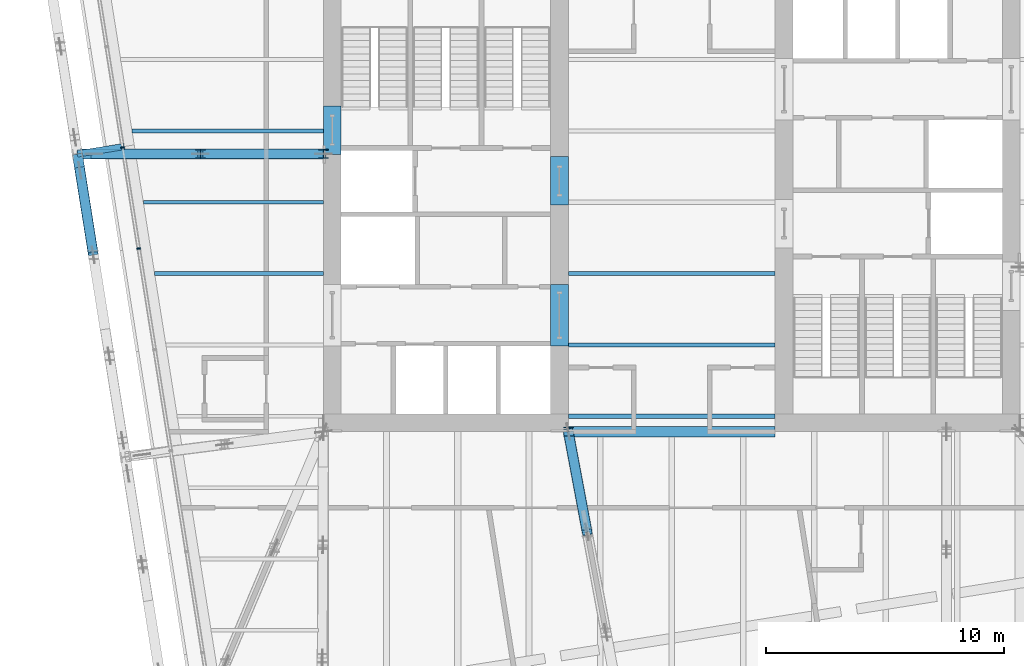
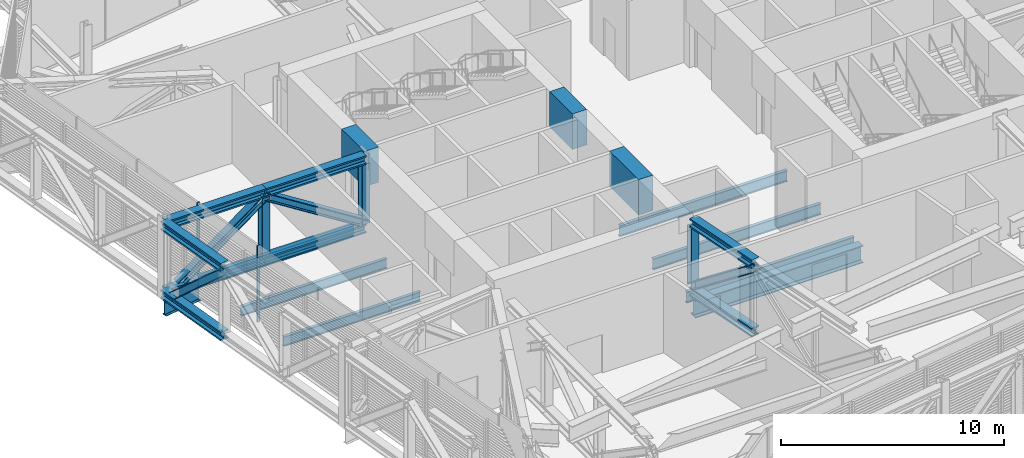
# One storey, part 6 of 31: 19 beams, 9 members, 1 element without a shape of its own.
"""IFC4 building model written with IfcOpenShell, lengths in metres."""

from ifc_helpers import new_model, si_unit, direction, frame, origin, origin_2d, place, context, subcontext, project, spatial, rectangle, i_section, extrude, material, layer, layer_set, material_profile, profile_set, type_object, element, aggregate, save


model = new_model("IFC4")

# Units and contexts
model_context = context("Model", 3, precision=1e-05, world=origin(), true_north=direction((0.0, 1.0)))
body_context = subcontext(model_context, "Body", "Model", "MODEL_VIEW")
ifc_project = project(units=[si_unit("LENGTHUNIT", "METRE"), si_unit("AREAUNIT", "SQUARE_METRE"), si_unit("VOLUMEUNIT", "CUBIC_METRE"), si_unit("PLANEANGLEUNIT", "RADIAN"), si_unit("MASSUNIT", "GRAM", prefix="KILO")], contexts=[model_context])

# Site, building, storey
site_placement = place(None, origin())
site = spatial("IfcSite", under=ifc_project, at=site_placement, CompositionType="ELEMENT")
building_placement = place(site_placement, origin())
building = spatial("IfcBuilding", under=site, at=building_placement, Name="Millrace Tower", CompositionType="ELEMENT")
storey_placement = place(building_placement, frame((0.0, 0.0, 195.60009765625)))
storey = spatial("IfcBuildingStorey", under=building, at=storey_placement, Name="L44", CompositionType="ELEMENT", Elevation=195.60009765625)

# Beams
ifc_material_1 = material(Name="Steel ASTM A992 Grade 50", Category="steel")
ifc_material_profile_1 = material_profile(ifc_material_1, i_section(OverallWidth=0.4267578125, OverallDepth=0.482666015625, WebThickness=0.05126953125, FlangeThickness=0.08154296875, FilletRadius=0.01513671875, at=origin_2d()))
ifc_profile_set_1 = profile_set([ifc_material_profile_1], Name="Steel ASTM A992 Grade 50")
beam_type_1 = type_object("IfcBeamType", Name="Belt truss chord W14x455", PredefinedType="BEAM", material=ifc_profile_set_1)
beam_1_placement = place(storey_placement, frame((-24.9951171875, 2.031494140625, 0.2412109375), z_axis=(0.156475688094, -0.987681810623, 0.0), x_axis=(0.987681810623, 0.156475688094, 0.0)))
element("IfcBeam", 1, at=beam_1_placement, inside=storey, type_object=beam_type_1, Name="BLT-L44-R15-B01", PredefinedType="BEAM", context=body_context, shape_type="SweptSolid", body=[
    extrude(i_section(OverallWidth=0.4267578125, OverallDepth=0.482666015625, WebThickness=0.05126953125, FlangeThickness=0.08154296875, FilletRadius=0.01513671875, at=origin_2d()), origin(), (0.0, 0.0, 1.0), 4.300048828125),
])
beam_2_placement = place(storey_placement, frame((-24.993408203125, 2.021484375, 3.99853515625), z_axis=(0.156447680442, -0.98768624739, 0.0), x_axis=(0.98768624739, 0.156447680442, 0.0)))
element("IfcBeam", 2, at=beam_2_placement, inside=storey, type_object=beam_type_1, Name="BLT-L44-R15-T01", PredefinedType="BEAM", context=body_context, shape_type="SweptSolid", body=[
    extrude(i_section(OverallWidth=0.4267578125, OverallDepth=0.482666015625, WebThickness=0.05126953125, FlangeThickness=0.08154296875, FilletRadius=0.01513671875, at=origin_2d()), origin(), (0.0, 0.0, 1.0), 4.289794921875),
])

# Member
ifc_material_2 = material(Name="Steel ASTM A992 Grade 50", Category="steel")
ifc_material_profile_2 = material_profile(ifc_material_2, i_section(OverallWidth=0.398681640625, OverallDepth=0.393798828125, WebThickness=0.022705078125, FlangeThickness=0.03662109375, FilletRadius=0.01513671875, at=origin_2d()))
ifc_profile_set_2 = profile_set([ifc_material_profile_2], Name="Steel ASTM A992 Grade 50")
member_type_1 = type_object("IfcMemberType", Name="Belt truss diagonal W14x193", PredefinedType="BRACE", material=ifc_profile_set_2)
member_1_placement = place(storey_placement, frame((-24.885498046875, 1.340087890625, 0.482421875), z_axis=(0.115731422385, -0.730607904471, 0.672917771943), x_axis=(0.987685312069, 0.156453585206, 0.0)))
element("IfcMember", 3, at=member_1_placement, inside=storey, type_object=member_type_1, Name="BLT-L44-R15-D01", PredefinedType="BRACE", context=body_context, shape_type="SweptSolid", body=[
    extrude(i_section(OverallWidth=0.398681640625, OverallDepth=0.393798828125, WebThickness=0.022705078125, FlangeThickness=0.03662109375, FilletRadius=0.01513671875, at=origin_2d()), origin(), (0.0, 0.0, 1.0), 4.86669921875),
])

# Curtain wall, members
ifc_material_3 = material(Name="Aluminium and glass", Category="aluminium")
ifc_layer = layer(ifc_material_3, 0.14990234375)
ifc_layer_set = layer_set([ifc_layer], Name="Aluminium and glass")
curtain_wall_type = type_object("IfcCurtainWallType", Name="CW-5 truss and plant storey louvred infill", PredefinedType="NOTDEFINED", material=ifc_layer_set)
curtain_wall_placement = place(storey_placement, origin())
curtain_wall = element("IfcCurtainWall", 4, at=curtain_wall_placement, inside=storey, type_object=curtain_wall_type, Name="Curtain wall C-F08 L44", PredefinedType="NOTDEFINED")
ifc_material_4 = material(Name="Aluminium", Category="aluminium")
ifc_material_profile_3 = material_profile(ifc_material_4, rectangle(XDim=0.06494140625, YDim=0.14990234375, at=origin_2d()))
ifc_profile_set_3 = profile_set([ifc_material_profile_3], Name="Aluminium")
member_type_2 = type_object("IfcMemberType", Name="CW-5 truss and plant storey louvred infill mullion", PredefinedType="MULLION", material=ifc_profile_set_3)
member_2_placement = place(storey_placement, frame((-23.088623046875, 2.300537109375, 0.139892578125), z_axis=(0.0, 0.0, 1.0), x_axis=(0.15643447328, -0.98768833929, 0.0)))
member_2 = element("IfcMember", 5, at=member_2_placement, type_object=member_type_2, Name="CW5 mullion C-F08.4", PredefinedType="MULLION", context=body_context, shape_type="SweptSolid", body=[
    extrude(rectangle(XDim=0.06494140625, YDim=0.14990234375, at=origin_2d()), origin(), (0.0, 0.0, 1.0), 4.199951171875),
])
member_3_placement = place(storey_placement, frame((-22.416015625, -1.946533203125, 0.139892578125), z_axis=(0.0, 0.0, 1.0), x_axis=(0.15643447328, -0.98768833929, 0.0)))
member_3 = element("IfcMember", 6, at=member_3_placement, type_object=member_type_2, Name="CW5 mullion C-F08.5", PredefinedType="MULLION", context=body_context, shape_type="SweptSolid", body=[
    extrude(rectangle(XDim=0.06494140625, YDim=0.14990234375, at=origin_2d()), origin(), (0.0, 0.0, 1.0), 4.199951171875),
])
aggregate(curtain_wall, [member_2, member_3])

# Beams
ifc_material_5 = material(Name="Concrete C70", Category="concrete")
ifc_material_profile_4 = material_profile(ifc_material_5, rectangle(XDim=0.75, YDim=1.93994140625, at=origin_2d()))
ifc_profile_set_4 = profile_set([ifc_material_profile_4], Name="Concrete C70")
beam_type_2 = type_object("IfcBeamType", Name="Coupling beam 750 x 1940 Concrete C70, 1300 opening", PredefinedType="BEAM", material=ifc_profile_set_4)
beam_3_placement = place(storey_placement, frame((-14.27490234375, 2.011474609375, 3.369873046875), z_axis=(0.0, 1.0, 0.0), x_axis=(-1.0, 0.0, 0.0)))
element("IfcBeam", 7, at=beam_3_placement, inside=storey, type_object=beam_type_2, Name="Coupling beam W L44", PredefinedType="BEAM", context=body_context, shape_type="SweptSolid", body=[
    extrude(rectangle(XDim=0.75, YDim=1.93994140625, at=origin_2d()), origin(), (0.0, 0.0, 1.0), 2.037109375),
])
beam_4_placement = place(storey_placement, frame((-4.72509765625, -0.118408203125, 3.369873046875), z_axis=(0.0, 1.0, 0.0), x_axis=(-1.0, 0.0, 0.0)))
element("IfcBeam", 8, at=beam_4_placement, inside=storey, type_object=beam_type_2, Name="Coupling beam W L44", PredefinedType="BEAM", context=body_context, shape_type="SweptSolid", body=[
    extrude(rectangle(XDim=0.75, YDim=1.93994140625, at=origin_2d()), origin(), (0.0, 0.0, 1.0), 2.036865234375),
])
ifc_material_6 = material(Name="Concrete C70", Category="concrete")
ifc_material_profile_5 = material_profile(ifc_material_6, rectangle(XDim=0.75, YDim=1.93994140625, at=origin_2d()))
ifc_profile_set_5 = profile_set([ifc_material_profile_5], Name="Concrete C70")
beam_type_3 = type_object("IfcBeamType", Name="Coupling beam 750 x 1940 Concrete C70, 2000 opening", PredefinedType="BEAM", material=ifc_profile_set_5)
beam_5_placement = place(storey_placement, frame((-4.72509765625, -6.050048828125, 3.369873046875), z_axis=(0.0, 1.0, 0.0), x_axis=(-1.0, 0.0, 0.0)))
element("IfcBeam", 9, at=beam_5_placement, inside=storey, type_object=beam_type_3, Name="Coupling beam W L44", PredefinedType="BEAM", context=body_context, shape_type="SweptSolid", body=[
    extrude(rectangle(XDim=0.75, YDim=1.93994140625, at=origin_2d()), origin(), (0.0, 0.0, 1.0), 2.60009765625),
])
ifc_material_7 = material(Name="Steel ASTM A992 Grade 50", Category="steel")
ifc_material_profile_6 = material_profile(ifc_material_7, i_section(OverallWidth=0.1650390625, OverallDepth=0.52587890625, WebThickness=0.0087890625, FlangeThickness=0.011474609375, FilletRadius=0.0126953125, at=origin_2d()))
ifc_profile_set_6 = profile_set([ifc_material_profile_6], Name="Steel ASTM A992 Grade 50")
beam_type_4 = type_object("IfcBeamType", Name="Floor beam W21x44", PredefinedType="JOIST", material=ifc_profile_set_6)
beam_6_placement = place(storey_placement, frame((-21.746337890625, -3.0, -0.512939453125), z_axis=(1.0, 0.0, 0.0), x_axis=(0.0, 1.0, 0.0)))
element("IfcBeam", 10, at=beam_6_placement, inside=storey, type_object=beam_type_4, Name="BM-C-L44-S1-S017", PredefinedType="JOIST", context=body_context, shape_type="SweptSolid", body=[
    extrude(i_section(OverallWidth=0.1650390625, OverallDepth=0.52587890625, WebThickness=0.0087890625, FlangeThickness=0.011474609375, FilletRadius=0.0126953125, at=origin_2d()), origin(), (0.0, 0.0, 1.0), 7.096435546875),
])
beam_7_placement = place(storey_placement, frame((-22.221435546875, 0.0, -0.512939453125), z_axis=(1.0, 0.0, 0.0), x_axis=(0.0, 1.0, 0.0)))
element("IfcBeam", 11, at=beam_7_placement, inside=storey, type_object=beam_type_4, Name="BM-C-L44-S1-S020", PredefinedType="JOIST", context=body_context, shape_type="SweptSolid", body=[
    extrude(i_section(OverallWidth=0.1650390625, OverallDepth=0.52587890625, WebThickness=0.0087890625, FlangeThickness=0.011474609375, FilletRadius=0.0126953125, at=origin_2d()), origin(), (0.0, 0.0, 1.0), 7.571533203125),
])
ifc_material_8 = material(Name="Steel ASTM A992 Grade 50", Category="steel")
ifc_material_profile_7 = material_profile(ifc_material_8, i_section(OverallWidth=0.177978515625, OverallDepth=0.599365234375, WebThickness=0.010009765625, FlangeThickness=0.012939453125, FilletRadius=0.012939453125, at=origin_2d()))
ifc_profile_set_7 = profile_set([ifc_material_profile_7], Name="Steel ASTM A992 Grade 50")
beam_type_5 = type_object("IfcBeamType", Name="Floor beam W24x55", PredefinedType="JOIST", material=ifc_profile_set_7)
for number, where, z_axis, x_axis, name in (
    (12, (-4.35009765625, -9.0, -0.5498046875), (1.0, 0.0, 0.0), (0.0, 1.0, 0.0), "BM-C-L44-S1-S010"),
    (13, (-4.35009765625, -6.0, -0.5498046875), (1.0, 0.0, 0.0), (0.0, 1.0, 0.0), "BM-C-L44-S1-S013"),
    (14, (-4.35009765625, -3.0, -0.5498046875), (1.0, 0.0, 0.0), (0.0, 1.0, 0.0), "BM-C-L44-S1-S016"),
):
    element("IfcBeam", number, at=place(storey_placement, frame(where, z_axis=z_axis, x_axis=x_axis)), inside=storey, type_object=beam_type_5, Name=name, PredefinedType="JOIST", context=body_context, shape_type="SweptSolid", body=[
        extrude(i_section(OverallWidth=0.177978515625, OverallDepth=0.599365234375, WebThickness=0.010009765625, FlangeThickness=0.012939453125, FilletRadius=0.012939453125, at=origin_2d()), origin(), (0.0, 0.0, 1.0), 8.7001953125),
    ])
beam_8_placement = place(storey_placement, frame((-22.696533203125, 3.0, -0.5498046875), z_axis=(1.0, 0.0, 0.0), x_axis=(0.0, 1.0, 0.0)))
element("IfcBeam", 15, at=beam_8_placement, inside=storey, type_object=beam_type_5, Name="BM-C-L44-S1-S023", PredefinedType="JOIST", context=body_context, shape_type="SweptSolid", body=[
    extrude(i_section(OverallWidth=0.177978515625, OverallDepth=0.599365234375, WebThickness=0.010009765625, FlangeThickness=0.012939453125, FilletRadius=0.012939453125, at=origin_2d()), origin(), (0.0, 0.0, 1.0), 8.046630859375),
])
ifc_material_9 = material(Name="Steel ASTM A992 Grade 50", Category="steel")
ifc_material_profile_8 = material_profile(ifc_material_9, i_section(OverallWidth=0.424072265625, OverallDepth=0.947509765625, WebThickness=0.02392578125, FlangeThickness=0.042724609375, FilletRadius=0.024169921875, at=origin_2d()))
ifc_profile_set_8 = profile_set([ifc_material_profile_8], Name="Steel ASTM A992 Grade 50")
beam_type_6 = type_object("IfcBeamType", Name="Girder short span W36x302", PredefinedType="BEAM", material=ifc_profile_set_8)
beam_9_placement = place(storey_placement, frame((-4.35009765625, -9.64990234375, -0.723876953125), z_axis=(1.0, 0.0, 0.0), x_axis=(0.0, 1.0, 0.0)))
element("IfcBeam", 16, at=beam_9_placement, inside=storey, type_object=beam_type_6, Name="BM-C-L44-S1-G062", PredefinedType="BEAM", context=body_context, shape_type="SweptSolid", body=[
    extrude(i_section(OverallWidth=0.424072265625, OverallDepth=0.947509765625, WebThickness=0.02392578125, FlangeThickness=0.042724609375, FilletRadius=0.024169921875, at=origin_2d()), origin(), (0.0, 0.0, 1.0), 8.7001953125),
])
ifc_material_10 = material(Name="Steel ASTM A992 Grade 50", Category="steel")
ifc_material_profile_9 = material_profile(ifc_material_10, i_section(OverallWidth=0.2666015625, OverallDepth=0.7568359375, WebThickness=0.013916015625, FlangeThickness=0.019287109375, FilletRadius=0.0166015625, at=origin_2d()))
ifc_profile_set_9 = profile_set([ifc_material_profile_9], Name="Steel ASTM A992 Grade 50")
beam_type_7 = type_object("IfcBeamType", Name="Link beam W30x108", PredefinedType="BEAM", material=ifc_profile_set_9)
beam_10_placement = place(storey_placement, frame((-23.019775390625, 2.344482421875, -0.628662109375), z_axis=(-0.987678691416, -0.156495375404, 0.0), x_axis=(0.156495375404, -0.987678691416, 0.0)))
element("IfcBeam", 17, at=beam_10_placement, inside=storey, type_object=beam_type_7, Name="LNK-C-L44-S1-03", PredefinedType="BEAM", context=body_context, shape_type="SweptSolid", body=[
    extrude(i_section(OverallWidth=0.2666015625, OverallDepth=0.7568359375, WebThickness=0.013916015625, FlangeThickness=0.019287109375, FilletRadius=0.0166015625, at=origin_2d()), origin(), (0.0, 0.0, 1.0), 2.0),
])
ifc_material_11 = material(Name="Steel ASTM A992 Grade 50", Category="steel")
ifc_material_profile_10 = material_profile(ifc_material_11, i_section(OverallWidth=0.4267578125, OverallDepth=0.482666015625, WebThickness=0.05126953125, FlangeThickness=0.08154296875, FilletRadius=0.01513671875, at=origin_2d()))
ifc_profile_set_10 = profile_set([ifc_material_profile_10], Name="Steel ASTM A992 Grade 50")
beam_type_8 = type_object("IfcBeamType", Name="Outrigger truss chord W14x455", PredefinedType="BEAM", material=ifc_profile_set_10)
for number, where, z_axis, x_axis, name in (
    (18, (-4.35009765625, -9.64990234375, 0.2412109375), (0.18434684486, -0.982861252055, 0.0), (0.982861252055, 0.18434684486, 0.0), "BLT-L44-O03-B01"),
    (19, (-4.35009765625, -9.64990234375, 3.99853515625), (0.18434684486, -0.982861252055, 0.0), (0.982861252055, 0.18434684486, 0.0), "BLT-L44-O03-T01"),
):
    element("IfcBeam", number, at=place(storey_placement, frame(where, z_axis=z_axis, x_axis=x_axis)), inside=storey, type_object=beam_type_8, Name=name, PredefinedType="BEAM", context=body_context, shape_type="SweptSolid", body=[
        extrude(i_section(OverallWidth=0.4267578125, OverallDepth=0.482666015625, WebThickness=0.05126953125, FlangeThickness=0.08154296875, FilletRadius=0.01513671875, at=origin_2d()), origin(), (0.0, 0.0, 1.0), 4.297607421875),
    ])
for number, where, z_axis, x_axis, name in (
    (20, (-14.64990234375, 2.031494140625, 0.2412109375), (-1.0, 0.0, 0.0), (0.0, -1.0, 0.0), "BLT-L44-O15-B01"),
    (21, (-14.64990234375, 2.031494140625, 3.99853515625), (-1.0, 0.0, 0.0), (0.0, -1.0, 0.0), "BLT-L44-O15-T01"),
    (22, (-19.822509765625, 2.031494140625, 0.2412109375), (-1.0, 0.0, 0.0), (0.0, -1.0, 0.0), "BLT-L44-O15-B02"),
    (23, (-19.822509765625, 2.031494140625, 3.99853515625), (-1.0, 0.0, 0.0), (0.0, -1.0, 0.0), "BLT-L44-O15-T02"),
):
    element("IfcBeam", number, at=place(storey_placement, frame(where, z_axis=z_axis, x_axis=x_axis)), inside=storey, type_object=beam_type_8, Name=name, PredefinedType="BEAM", context=body_context, shape_type="SweptSolid", body=[
        extrude(i_section(OverallWidth=0.4267578125, OverallDepth=0.482666015625, WebThickness=0.05126953125, FlangeThickness=0.08154296875, FilletRadius=0.01513671875, at=origin_2d()), origin(), (0.0, 0.0, 1.0), 5.172607421875),
    ])

# Members
ifc_material_12 = material(Name="Steel ASTM A992 Grade 50", Category="steel")
ifc_material_profile_11 = material_profile(ifc_material_12, i_section(OverallWidth=0.398681640625, OverallDepth=0.393798828125, WebThickness=0.022705078125, FlangeThickness=0.03662109375, FilletRadius=0.01513671875, at=origin_2d()))
ifc_profile_set_11 = profile_set([ifc_material_profile_11], Name="Steel ASTM A992 Grade 50")
member_type_3 = type_object("IfcMemberType", Name="Outrigger truss diagonal W14x193", PredefinedType="BRACE", material=ifc_profile_set_11)
member_4_placement = place(storey_placement, frame((-4.35009765625, -9.64990234375, 0.482421875), z_axis=(0.146625577088, -0.781747029028, 0.606112632066), x_axis=(0.982861252055, 0.18434684486, 0.0)))
element("IfcMember", 24, at=member_4_placement, inside=storey, type_object=member_type_3, Name="BLT-L44-O03-D01", PredefinedType="BRACE", context=body_context, shape_type="SweptSolid", body=[
    extrude(i_section(OverallWidth=0.398681640625, OverallDepth=0.393798828125, WebThickness=0.022705078125, FlangeThickness=0.03662109375, FilletRadius=0.01513671875, at=origin_2d()), origin(), (0.0, 0.0, 1.0), 5.403076171875),
])
member_5_placement = place(storey_placement, frame((-14.64990234375, 2.031494140625, 0.482421875), z_axis=(-0.844898980611, 0.0, 0.534925894459), x_axis=(0.0, -1.0, 0.0)))
element("IfcMember", 25, at=member_5_placement, inside=storey, type_object=member_type_3, Name="BLT-L44-O15-D01", PredefinedType="BRACE", context=body_context, shape_type="SweptSolid", body=[
    extrude(i_section(OverallWidth=0.398681640625, OverallDepth=0.393798828125, WebThickness=0.022705078125, FlangeThickness=0.03662109375, FilletRadius=0.01513671875, at=origin_2d()), origin(), (0.0, 0.0, 1.0), 6.1220703125),
])
member_6_placement = place(storey_placement, frame((-24.295166015625, 2.031494140625, 0.482421875), z_axis=(0.80683882848, 0.0, 0.590771618189), x_axis=(0.0, 1.0, 0.0)))
element("IfcMember", 26, at=member_6_placement, inside=storey, type_object=member_type_3, Name="BLT-L44-O15-D02", PredefinedType="BRACE", context=body_context, shape_type="SweptSolid", body=[
    extrude(i_section(OverallWidth=0.398681640625, OverallDepth=0.393798828125, WebThickness=0.022705078125, FlangeThickness=0.03662109375, FilletRadius=0.01513671875, at=origin_2d()), origin(), (0.0, 0.0, 1.0), 5.54345703125),
])
ifc_material_13 = material(Name="Steel ASTM A992 Grade 50", Category="steel")
ifc_material_profile_12 = material_profile(ifc_material_13, i_section(OverallWidth=0.396240234375, OverallDepth=0.381103515625, WebThickness=0.018798828125, FlangeThickness=0.0302734375, FilletRadius=0.01513671875, at=origin_2d()))
ifc_profile_set_12 = profile_set([ifc_material_profile_12], Name="Steel ASTM A992 Grade 50")
member_type_4 = type_object("IfcMemberType", Name="Outrigger truss post W14x159", PredefinedType="POST", material=ifc_profile_set_12)
for number, where, z_axis, x_axis, name in (
    (27, (-4.35009765625, -9.64990234375, 0.482421875), (0.0, 0.0, 1.0), (1.0, 0.0, 0.0), "BLT-L44-O03-V00"),
    (28, (-14.64990234375, 2.031494140625, 0.482421875), (0.0, 0.0, 1.0), (1.0, 0.0, 0.0), "BLT-L44-O15-V00"),
    (29, (-19.822509765625, 2.031494140625, 0.482421875), (0.0, 0.0, 1.0), (1.0, 0.0, 0.0), "BLT-L44-O15-V01"),
):
    element("IfcMember", number, at=place(storey_placement, frame(where, z_axis=z_axis, x_axis=x_axis)), inside=storey, type_object=member_type_4, Name=name, PredefinedType="POST", context=body_context, shape_type="SweptSolid", body=[
        extrude(i_section(OverallWidth=0.396240234375, OverallDepth=0.381103515625, WebThickness=0.018798828125, FlangeThickness=0.0302734375, FilletRadius=0.01513671875, at=origin_2d()), origin(), (0.0, 0.0, 1.0), 3.27490234375),
    ])

save(model, "model.ifc")
